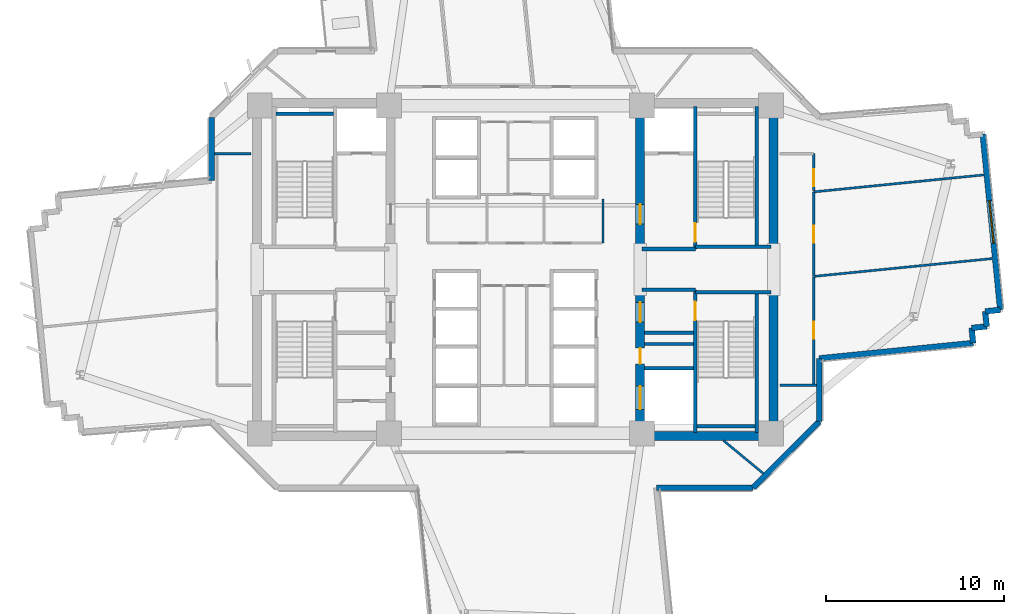
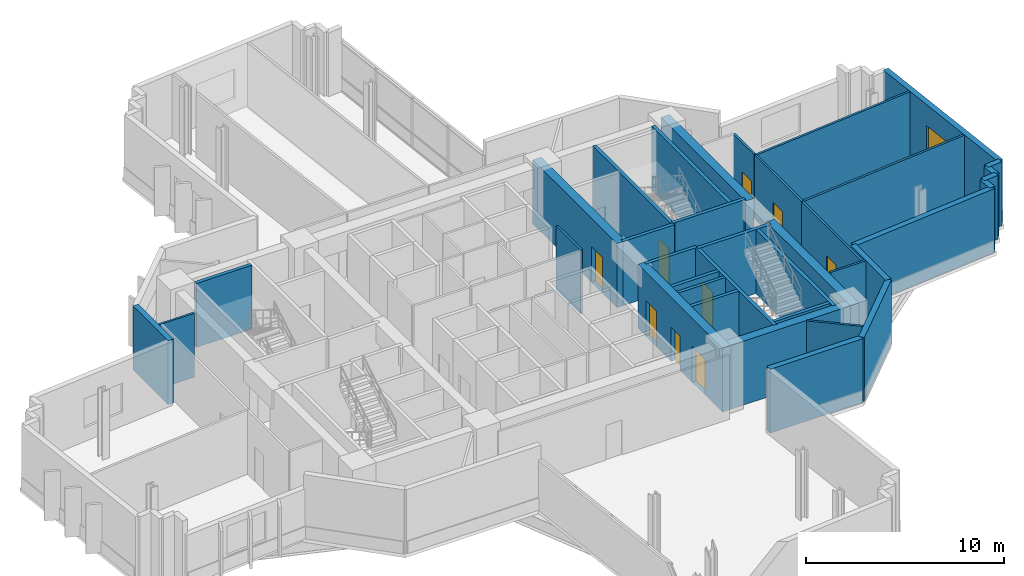
# One storey, part 8 of 14: 37 walls, 9 doors, 1 window, 10 openings.
"""IFC4 building model written with IfcOpenShell, lengths in metres."""

from ifc_helpers import new_model, si_unit, direction, frame, frame_2d, origin, place, context, subcontext, project, spatial, rectangle, extrude, source, transform, mapped, material, layer, layer_set, type_object, element, fill, save


model = new_model("IFC4")

# Units and contexts
model_context = context("Model", 3, precision=1e-05, world=origin(), true_north=direction((0.0, 1.0)))
body_context = subcontext(model_context, "Body", "Model", "MODEL_VIEW")
ifc_project = project(units=[si_unit("LENGTHUNIT", "METRE"), si_unit("AREAUNIT", "SQUARE_METRE"), si_unit("VOLUMEUNIT", "CUBIC_METRE"), si_unit("PLANEANGLEUNIT", "RADIAN"), si_unit("MASSUNIT", "GRAM", prefix="KILO")], contexts=[model_context])

# Site, building, storey
site_placement = place(None, origin())
site = spatial("IfcSite", under=ifc_project, at=site_placement, CompositionType="ELEMENT")
building_placement = place(site_placement, origin())
building = spatial("IfcBuilding", under=site, at=building_placement, Name="Zahravan Cultural Tower", CompositionType="ELEMENT")
storey_placement = place(building_placement, frame((0.0, 0.0, 92.10009765625)))
storey = spatial("IfcBuildingStorey", under=building, at=storey_placement, Name="L20", CompositionType="ELEMENT", Elevation=92.10009765625)

# Wall, openings, doors
ifc_material_1 = material(Name="Concrete C60/75", Category="concrete")
ifc_layer_1 = layer(ifc_material_1, 0.5)
ifc_layer_set_1 = layer_set([ifc_layer_1], Name="Concrete C60/75")
wall_type_1 = type_object("IfcWallType", Name="CW-SHEAR-500-C60", PredefinedType="SHEAR", material=ifc_layer_set_1)
wall_1_placement = place(storey_placement, frame((43.0, 17.39990234375, 0.0), z_axis=(0.0, 0.0, 1.0), x_axis=(0.0, 1.0, 0.0)))
wall_1 = element("IfcWall", 1, at=wall_1_placement, inside=storey, type_object=wall_type_1, Name="L20 Core Shear Wall CW-E-WS-L20", PredefinedType="SHEAR", context=body_context, shape_type="SweptSolid", body=[
    extrude(rectangle(XDim=8.550048828125, YDim=0.5, at=frame_2d((4.27490234375, 0.0))), origin(), (0.0, 0.0, 1.0), 3.949951171875),
])
opening_1_placement = place(wall_1_placement, frame((6.64990234375, 0.0, 0.0)))
opening_1 = element("IfcOpeningElement", 2, at=opening_1_placement, cuts=wall_1, Name="Opening D-L20-08", PredefinedType="OPENING", context=body_context, shape_type="SweptSolid", body=[
    extrude(rectangle(XDim=1.10009765625, YDim=2.199951171875, at=frame_2d((0.550048828125, 1.10009765625))), frame((0.0, 0.260009765625, 0.0), z_axis=(0.0, -1.0, 0.0), x_axis=(1.0, 0.0, 0.0)), (0.0, 0.0, 1.0), 0.52001953125),
])
opening_2_placement = place(wall_1_placement, frame((1.75, 0.0, 0.0)))
opening_2 = element("IfcOpeningElement", 3, at=opening_2_placement, cuts=wall_1, Name="Opening LD-L20-03", PredefinedType="OPENING", context=body_context, shape_type="SweptSolid", body=[
    extrude(rectangle(XDim=1.300048828125, YDim=2.199951171875, at=frame_2d((0.64990234375, 1.10009765625))), frame((0.0, 0.260009765625, 0.0), z_axis=(0.0, -1.0, 0.0), x_axis=(1.0, 0.0, 0.0)), (0.0, 0.0, 1.0), 0.52001953125),
])
opening_3_placement = place(wall_1_placement, frame((4.300048828125, 0.0, 0.0)))
opening_3 = element("IfcOpeningElement", 4, at=opening_3_placement, cuts=wall_1, Name="Opening D-L20-12", PredefinedType="OPENING", context=body_context, shape_type="SweptSolid", body=[
    extrude(rectangle(XDim=0.8798828125, YDim=2.10009765625, at=frame_2d((0.43994140625, 1.050048828125))), frame((0.0, 0.260009765625, 0.0), z_axis=(0.0, -1.0, 0.0), x_axis=(1.0, 0.0, 0.0)), (0.0, 0.0, 1.0), 0.52001953125),
])
ifc_material_2 = material(Name="Steel ASTM A572 Grade 50", Category="steel")
door_type_1 = type_object("IfcDoorType", Name="DR-LOBBY-1100", OperationType="NOTDEFINED", PredefinedType="DOOR", material=ifc_material_2)
shared_shape_1 = source(origin(), body_context, "Body", "SweptSolid", [
    extrude(rectangle(XDim=1.10009765625, YDim=2.199951171875, at=frame_2d((0.550048828125, 1.10009765625))), frame((0.0, 0.02490234375, 0.0), z_axis=(0.0, -1.0, 0.0), x_axis=(1.0, 0.0, 0.0)), (0.0, 0.0, 1.0), 0.050048828125),
])
door_1_placement = place(opening_1_placement, origin())
door_1 = element("IfcDoor", 5, at=door_1_placement, inside=storey, type_object=door_type_1, Name="L20 Door D-L20-08", OperationType="SINGLE_SWING_LEFT", OverallHeight=2.199951171875, OverallWidth=1.10009765625, PredefinedType="DOOR", context=body_context, shape_type="MappedRepresentation", body=[
    mapped(shared_shape_1, transform((0.0, 0.0, 0.0), x_axis=(1.0, 0.0, 0.0), y_axis=(0.0, 1.0, 0.0), z_axis=(0.0, 0.0, 1.0), scale=1.0)),
])
fill(opening_1, door_1)
door_type_2 = type_object("IfcDoorType", Name="DR-LIFT-1300", OperationType="DOUBLE_DOOR_SLIDING", PredefinedType="DOOR", material=ifc_material_2)
shared_shape_2 = source(origin(), body_context, "Body", "SweptSolid", [
    extrude(rectangle(XDim=1.300048828125, YDim=2.199951171875, at=frame_2d((0.64990234375, 1.10009765625))), frame((0.0, 0.02490234375, 0.0), z_axis=(0.0, -1.0, 0.0), x_axis=(1.0, 0.0, 0.0)), (0.0, 0.0, 1.0), 0.050048828125),
])
door_2_placement = place(opening_2_placement, origin())
door_2 = element("IfcDoor", 6, at=door_2_placement, inside=storey, type_object=door_type_2, Name="L20 Door LD-L20-03", OperationType="DOUBLE_DOOR_SLIDING", OverallHeight=2.199951171875, OverallWidth=1.300048828125, PredefinedType="DOOR", context=body_context, shape_type="MappedRepresentation", body=[
    mapped(shared_shape_2, transform((0.0, 0.0, 0.0), x_axis=(1.0, 0.0, 0.0), y_axis=(0.0, 1.0, 0.0), z_axis=(0.0, 0.0, 1.0), scale=1.0)),
])
fill(opening_2, door_2)
door_type_3 = type_object("IfcDoorType", Name="DR-SVC-880", OperationType="NOTDEFINED", PredefinedType="DOOR", material=ifc_material_2)
shared_shape_3 = source(origin(), body_context, "Body", "SweptSolid", [
    extrude(rectangle(XDim=0.8798828125, YDim=2.10009765625, at=frame_2d((0.43994140625, 1.050048828125))), frame((0.0, 0.02490234375, 0.0), z_axis=(0.0, -1.0, 0.0), x_axis=(1.0, 0.0, 0.0)), (0.0, 0.0, 1.0), 0.050048828125),
])
door_3_placement = place(opening_3_placement, origin())
door_3 = element("IfcDoor", 7, at=door_3_placement, inside=storey, type_object=door_type_3, Name="L20 Door D-L20-12", OperationType="SINGLE_SWING_LEFT", OverallHeight=2.10009765625, OverallWidth=0.8798828125, PredefinedType="DOOR", context=body_context, shape_type="MappedRepresentation", body=[
    mapped(shared_shape_3, transform((0.0, 0.0, 0.0), x_axis=(1.0, 0.0, 0.0), y_axis=(0.0, 1.0, 0.0), z_axis=(0.0, 0.0, 1.0), scale=1.0)),
])
fill(opening_3, door_3)

# Wall, opening, door
wall_2_placement = place(storey_placement, frame((43.0, 28.050048828125, 0.0), z_axis=(0.0, 0.0, 1.0), x_axis=(0.0, 1.0, 0.0)))
wall_2 = element("IfcWall", 8, at=wall_2_placement, inside=storey, type_object=wall_type_1, Name="L20 Core Shear Wall CW-E-WN-L20", PredefinedType="SHEAR", context=body_context, shape_type="SweptSolid", body=[
    extrude(rectangle(XDim=8.550048828125, YDim=0.5, at=frame_2d((4.27490234375, 0.0))), origin(), (0.0, 0.0, 1.0), 3.949951171875),
])
opening_4_placement = place(wall_2_placement, frame((1.5, 0.0, 0.0)))
opening_4 = element("IfcOpeningElement", 9, at=opening_4_placement, cuts=wall_2, Name="Opening D-L20-06", PredefinedType="OPENING", context=body_context, shape_type="SweptSolid", body=[
    extrude(rectangle(XDim=1.10009765625, YDim=2.199951171875, at=frame_2d((0.550048828125, 1.10009765625))), frame((0.0, 0.260009765625, 0.0), z_axis=(0.0, -1.0, 0.0), x_axis=(1.0, 0.0, 0.0)), (0.0, 0.0, 1.0), 0.52001953125),
])
door_4_placement = place(opening_4_placement, origin())
door_4 = element("IfcDoor", 10, at=door_4_placement, inside=storey, type_object=door_type_1, Name="L20 Door D-L20-06", OperationType="SINGLE_SWING_LEFT", OverallHeight=2.199951171875, OverallWidth=1.10009765625, PredefinedType="DOOR", context=body_context, shape_type="MappedRepresentation", body=[
    mapped(shared_shape_1, transform((0.0, 0.0, 0.0), x_axis=(1.0, 0.0, 0.0), y_axis=(0.0, 1.0, 0.0), z_axis=(0.0, 0.0, 1.0), scale=1.0)),
])
fill(opening_4, door_4)

# Wall, opening, window
ifc_material_3 = material(Name="Precast concrete C40/50", Category="concrete")
ifc_layer_2 = layer(ifc_material_3, 0.320068359375)
ifc_layer_set_2 = layer_set([ifc_layer_2], Name="Precast concrete C40/50")
wall_type_2 = type_object("IfcWallType", Name="EW-TC-320", PredefinedType="SOLIDWALL", material=ifc_layer_set_2)
wall_3_placement = place(storey_placement, frame((62.234619140625, 34.603271484375, 0.0), z_axis=(0.0, 0.0, 1.0), x_axis=(0.099303907908, -0.995057151059, 0.0)))
wall_3 = element("IfcWall", 11, at=wall_3_placement, inside=storey, type_object=wall_type_2, Name="L20 Exterior Masonry Frame Wall 32", PredefinedType="SOLIDWALL", context=body_context, shape_type="SweptSolid", body=[
    extrude(rectangle(XDim=9.920166015625, YDim=0.320068359375, at=frame_2d((4.9599609375, 0.0))), origin(), (0.0, 0.0, 1.0), 3.949951171875),
])
opening_5_placement = place(wall_3_placement, frame((3.760009765625, 0.0, 0.85009765625)))
opening_5 = element("IfcOpeningElement", 12, at=opening_5_placement, cuts=wall_3, Name="Opening WN-01", PredefinedType="OPENING", context=body_context, shape_type="SweptSolid", body=[
    extrude(rectangle(XDim=2.39990234375, YDim=1.800048828125, at=frame_2d((1.199951171875, 0.89990234375))), frame((0.0, 0.169921875, 0.0), z_axis=(0.0, -1.0, 0.0), x_axis=(1.0, 0.0, 0.0)), (0.0, 0.0, 1.0), 0.340087890625),
])
ifc_material_4 = material(Name="Low-E solar-control double glazing", Category="glass")
window_type = type_object("IfcWindowType", Name="WN-REC-2400X1800", PartitioningType="DOUBLE_PANEL_VERTICAL", PredefinedType="WINDOW", material=ifc_material_4)
shared_shape_4 = source(origin(), body_context, "Body", "SweptSolid", [
    extrude(rectangle(XDim=2.39990234375, YDim=1.800048828125, at=frame_2d((1.199951171875, 0.89990234375))), frame((0.0, 0.030029296875, 0.0), z_axis=(0.0, -1.0, 0.0), x_axis=(1.0, 0.0, 0.0)), (0.0, 0.0, 1.0), 0.06005859375),
])
window_placement = place(opening_5_placement, origin())
window = element("IfcWindow", 13, at=window_placement, inside=storey, type_object=window_type, Name="L20 Recessed Solar Window 08", OverallHeight=1.800048828125, OverallWidth=2.39990234375, PartitioningType="DOUBLE_PANEL_VERTICAL", PredefinedType="WINDOW", context=body_context, shape_type="MappedRepresentation", body=[
    mapped(shared_shape_4, transform((0.0, 0.0, 0.0), x_axis=(1.0, 0.0, 0.0), y_axis=(0.0, 1.0, 0.0), z_axis=(0.0, 0.0, 1.0), scale=1.0)),
])
fill(opening_5, window)

# Wall, opening, door
ifc_material_5 = material(Name="Gypsum plasterboard partition")
ifc_layer_3 = layer(ifc_material_5, 0.125)
ifc_layer_set_3 = layer_set([ifc_layer_3], Name="Gypsum plasterboard partition")
wall_type_3 = type_object("IfcWallType", Name="W-PART-125", PredefinedType="PARTITIONING", material=ifc_layer_set_3)
wall_4_placement = place(storey_placement, frame((52.75, 26.61181640625, 0.0), z_axis=(0.0, 0.0, 1.0), x_axis=(0.0, 1.0, 0.0)))
wall_4 = element("IfcWall", 14, at=wall_4_placement, inside=storey, type_object=wall_type_3, Name="L20 Interior Wall 091", PredefinedType="PARTITIONING", context=body_context, shape_type="SweptSolid", body=[
    extrude(rectangle(XDim=4.7431640625, YDim=0.125, at=frame_2d((2.37158203125, 0.0))), origin(), (0.0, 0.0, 1.0), 3.949951171875),
])
opening_6_placement = place(wall_4_placement, frame((1.896728515625, 0.0, 0.0)))
opening_6 = element("IfcOpeningElement", 15, at=opening_6_placement, cuts=wall_4, Name="Opening D-L20-22", PredefinedType="OPENING", context=body_context, shape_type="SweptSolid", body=[
    extrude(rectangle(XDim=0.949951171875, YDim=2.14990234375, at=frame_2d((0.47509765625, 1.074951171875))), frame((0.0, 0.072509765625, 0.0), z_axis=(0.0, -1.0, 0.0), x_axis=(1.0, 0.0, 0.0)), (0.0, 0.0, 1.0), 0.14501953125),
])
ifc_material_6 = material(Name="Anodised bronze-aluminium mullion", Category="aluminium")
door_type_4 = type_object("IfcDoorType", Name="DR-ROOM-950", OperationType="NOTDEFINED", PredefinedType="DOOR", material=ifc_material_6)
shared_shape_5 = source(origin(), body_context, "Body", "SweptSolid", [
    extrude(rectangle(XDim=0.949951171875, YDim=2.14990234375, at=frame_2d((0.47509765625, 1.074951171875))), frame((0.0, 0.02490234375, 0.0), z_axis=(0.0, -1.0, 0.0), x_axis=(1.0, 0.0, 0.0)), (0.0, 0.0, 1.0), 0.050048828125),
])
door_5_placement = place(opening_6_placement, origin())
door_5 = element("IfcDoor", 16, at=door_5_placement, inside=storey, type_object=door_type_4, Name="L20 Door D-L20-22", OperationType="SINGLE_SWING_LEFT", OverallHeight=2.14990234375, OverallWidth=0.949951171875, PredefinedType="DOOR", context=body_context, shape_type="MappedRepresentation", body=[
    mapped(shared_shape_5, transform((0.0, 0.0, 0.0), x_axis=(1.0, 0.0, 0.0), y_axis=(0.0, 1.0, 0.0), z_axis=(0.0, 0.0, 1.0), scale=1.0)),
])
fill(opening_6, door_5)

wall_5_placement = place(storey_placement, frame((52.75, 31.4228515625, 0.0), z_axis=(0.0, 0.0, 1.0), x_axis=(-0.000470366834, 0.999999889378, 0.0)))
wall_5 = element("IfcWall", 17, at=wall_5_placement, inside=storey, type_object=wall_type_3, Name="L20 Interior Wall 095", PredefinedType="PARTITIONING", context=body_context, shape_type="SweptSolid", body=[
    extrude(rectangle(XDim=2.076171875, YDim=0.125, at=frame_2d((1.0380859375, 0.0))), origin(), (0.0, 0.0, 1.0), 3.949951171875),
])
opening_7_placement = place(wall_5_placement, frame((0.247802734375, 0.0, 0.0)))
opening_7 = element("IfcOpeningElement", 18, at=opening_7_placement, cuts=wall_5, Name="Opening D-L20-23", PredefinedType="OPENING", context=body_context, shape_type="SweptSolid", body=[
    extrude(rectangle(XDim=0.949951171875, YDim=2.14990234375, at=frame_2d((0.47509765625, 1.074951171875))), frame((0.0, 0.072509765625, 0.0), z_axis=(0.0, -1.0, 0.0), x_axis=(1.0, 0.0, 0.0)), (0.0, 0.0, 1.0), 0.14501953125),
])
door_6_placement = place(opening_7_placement, origin())
door_6 = element("IfcDoor", 19, at=door_6_placement, inside=storey, type_object=door_type_4, Name="L20 Door D-L20-23", OperationType="SINGLE_SWING_RIGHT", OverallHeight=2.14990234375, OverallWidth=0.949951171875, PredefinedType="DOOR", context=body_context, shape_type="MappedRepresentation", body=[
    mapped(shared_shape_5, transform((0.0, 0.0, 0.0), x_axis=(1.0, 0.0, 0.0), y_axis=(0.0, 1.0, 0.0), z_axis=(0.0, 0.0, 1.0), scale=1.0)),
])
fill(opening_7, door_6)

wall_6_placement = place(storey_placement, frame((52.75, 20.56787109375, 0.0), z_axis=(0.0, 0.0, 1.0), x_axis=(0.0, 1.0, 0.0)))
wall_6 = element("IfcWall", 20, at=wall_6_placement, inside=storey, type_object=wall_type_3, Name="L20 Interior Wall 098", PredefinedType="PARTITIONING", context=body_context, shape_type="SweptSolid", body=[
    extrude(rectangle(XDim=6.023681640625, YDim=0.125, at=frame_2d((3.01171875, 0.0))), origin(), (0.0, 0.0, 1.0), 3.949951171875),
])
opening_8_placement = place(wall_6_placement, frame((2.536865234375, 0.0, 0.0)))
opening_8 = element("IfcOpeningElement", 21, at=opening_8_placement, cuts=wall_6, Name="Opening D-L20-21", PredefinedType="OPENING", context=body_context, shape_type="SweptSolid", body=[
    extrude(rectangle(XDim=0.949951171875, YDim=2.14990234375, at=frame_2d((0.47509765625, 1.074951171875))), frame((0.0, 0.072509765625, 0.0), z_axis=(0.0, -1.0, 0.0), x_axis=(1.0, 0.0, 0.0)), (0.0, 0.0, 1.0), 0.14501953125),
])
door_7_placement = place(opening_8_placement, origin())
door_7 = element("IfcDoor", 22, at=door_7_placement, inside=storey, type_object=door_type_4, Name="L20 Door D-L20-21", OperationType="SINGLE_SWING_RIGHT", OverallHeight=2.14990234375, OverallWidth=0.949951171875, PredefinedType="DOOR", context=body_context, shape_type="MappedRepresentation", body=[
    mapped(shared_shape_5, transform((0.0, 0.0, 0.0), x_axis=(1.0, 0.0, 0.0), y_axis=(0.0, 1.0, 0.0), z_axis=(0.0, 0.0, 1.0), scale=1.0)),
])
fill(opening_8, door_7)

ifc_material_7 = material(Name="Concrete C45/55", Category="concrete")
ifc_layer_4 = layer(ifc_material_7, 0.199951171875)
ifc_layer_set_4 = layer_set([ifc_layer_4], Name="Concrete C45/55")
wall_type_4 = type_object("IfcWallType", Name="W-SHAFT-200", PredefinedType="SOLIDWALL", material=ifc_layer_set_4)
wall_7_placement = place(storey_placement, frame((46.10009765625, 17.85009765625, 0.0), z_axis=(0.0, 0.0, 1.0), x_axis=(0.0, 1.0, 0.0)))
wall_7 = element("IfcWall", 23, at=wall_7_placement, inside=storey, type_object=wall_type_4, Name="L20 Interior Wall 007", PredefinedType="SOLIDWALL", context=body_context, shape_type="SweptSolid", body=[
    extrude(rectangle(XDim=8.0, YDim=0.199951171875, at=frame_2d((4.0, 0.0))), origin(), (0.0, 0.0, 1.0), 3.949951171875),
])
opening_9_placement = place(wall_7_placement, frame((6.300048828125, 0.0, 0.0)))
opening_9 = element("IfcOpeningElement", 24, at=opening_9_placement, cuts=wall_7, Name="Opening D-L20-03", PredefinedType="OPENING", context=body_context, shape_type="SweptSolid", body=[
    extrude(rectangle(XDim=1.050048828125, YDim=2.14990234375, at=frame_2d((0.52490234375, 1.074951171875))), frame((0.0, 0.10986328125, 0.0), z_axis=(0.0, -1.0, 0.0), x_axis=(1.0, 0.0, 0.0)), (0.0, 0.0, 1.0), 0.219970703125),
])
door_type_5 = type_object("IfcDoorType", Name="DR-STAIR-1050", OperationType="NOTDEFINED", PredefinedType="DOOR", material=ifc_material_2)
shared_shape_6 = source(origin(), body_context, "Body", "SweptSolid", [
    extrude(rectangle(XDim=1.050048828125, YDim=2.14990234375, at=frame_2d((0.52490234375, 1.074951171875))), frame((0.0, 0.02490234375, 0.0), z_axis=(0.0, -1.0, 0.0), x_axis=(1.0, 0.0, 0.0)), (0.0, 0.0, 1.0), 0.050048828125),
])
door_8_placement = place(opening_9_placement, origin())
door_8 = element("IfcDoor", 25, at=door_8_placement, inside=storey, type_object=door_type_5, Name="L20 Door D-L20-03", OperationType="SINGLE_SWING_RIGHT", OverallHeight=2.14990234375, OverallWidth=1.050048828125, PredefinedType="DOOR", context=body_context, shape_type="MappedRepresentation", body=[
    mapped(shared_shape_6, transform((0.0, 0.0, 0.0), x_axis=(1.0, 0.0, 0.0), y_axis=(0.0, 1.0, 0.0), z_axis=(0.0, 0.0, 1.0), scale=1.0)),
])
fill(opening_9, door_8)

wall_8_placement = place(storey_placement, frame((46.10009765625, 28.14990234375, 0.0), z_axis=(0.0, 0.0, 1.0), x_axis=(0.0, 1.0, 0.0)))
wall_8 = element("IfcWall", 26, at=wall_8_placement, inside=storey, type_object=wall_type_4, Name="L20 Interior Wall 008", PredefinedType="SOLIDWALL", context=body_context, shape_type="SweptSolid", body=[
    extrude(rectangle(XDim=8.0, YDim=0.199951171875, at=frame_2d((4.0, 0.0))), origin(), (0.0, 0.0, 1.0), 3.949951171875),
])
opening_10_placement = place(wall_8_placement, frame((0.39990234375, 0.0, 0.0)))
opening_10 = element("IfcOpeningElement", 27, at=opening_10_placement, cuts=wall_8, Name="Opening D-L20-02", PredefinedType="OPENING", context=body_context, shape_type="SweptSolid", body=[
    extrude(rectangle(XDim=1.050048828125, YDim=2.14990234375, at=frame_2d((0.52490234375, 1.074951171875))), frame((0.0, 0.10986328125, 0.0), z_axis=(0.0, -1.0, 0.0), x_axis=(1.0, 0.0, 0.0)), (0.0, 0.0, 1.0), 0.219970703125),
])
door_9_placement = place(opening_10_placement, origin())
door_9 = element("IfcDoor", 28, at=door_9_placement, inside=storey, type_object=door_type_5, Name="L20 Door D-L20-02", OperationType="SINGLE_SWING_LEFT", OverallHeight=2.14990234375, OverallWidth=1.050048828125, PredefinedType="DOOR", context=body_context, shape_type="MappedRepresentation", body=[
    mapped(shared_shape_6, transform((0.0, 0.0, 0.0), x_axis=(1.0, 0.0, 0.0), y_axis=(0.0, 1.0, 0.0), z_axis=(0.0, 0.0, 1.0), scale=1.0)),
])
fill(opening_10, door_9)

# Walls
shared_shape_7 = source(origin(), body_context, "Body", "SweptSolid", [
    extrude(rectangle(XDim=8.550048828125, YDim=0.5, at=frame_2d((4.27490234375, 0.0))), origin(), (0.0, 0.0, 1.0), 3.949951171875),
])
for number, where, z_axis, x_axis, name in (
    (29, (50.5, 17.39990234375, 0.0), (0.0, 0.0, 1.0), (0.0, 1.0, 0.0), "L20 Core Shear Wall CW-E-ES-L20"),
    (30, (50.5, 28.050048828125, 0.0), (0.0, 0.0, 1.0), (0.0, 1.0, 0.0), "L20 Core Shear Wall CW-E-EN-L20"),
):
    element("IfcWall", number, at=place(storey_placement, frame(where, z_axis=z_axis, x_axis=x_axis)), inside=storey, type_object=wall_type_1, Name=name, PredefinedType="SHEAR", context=body_context, shape_type="MappedRepresentation", body=[
        mapped(shared_shape_7, transform((0.0, 0.0, 0.0), x_axis=(1.0, 0.0, 0.0), y_axis=(0.0, 1.0, 0.0), z_axis=(0.0, 0.0, 1.0), scale=1.0)),
    ])
shared_shape_8 = source(origin(), body_context, "Body", "SweptSolid", [
    extrude(rectangle(XDim=7.0, YDim=0.5, at=frame_2d((3.5, 0.0))), origin(), (0.0, 0.0, 1.0), 3.949951171875),
])
wall_9_placement = place(storey_placement, frame((43.25, 17.64990234375, 0.0), z_axis=(0.0, 0.0, 1.0), x_axis=(1.0, 0.0, 0.0)))
element("IfcWall", 31, at=wall_9_placement, inside=storey, type_object=wall_type_1, Name="L20 Core Shear Wall CW-E-S-L20", PredefinedType="SHEAR", context=body_context, shape_type="MappedRepresentation", body=[
    mapped(shared_shape_8, transform((0.0, 0.0, 0.0), x_axis=(1.0, 0.0, 0.0), y_axis=(0.0, 1.0, 0.0), z_axis=(0.0, 0.0, 1.0), scale=1.0)),
])
shared_shape_9 = source(origin(), body_context, "Body", "SweptSolid", [
    extrude(rectangle(XDim=0.849853515625, YDim=0.320068359375, at=frame_2d((0.4248046875, 0.0))), origin(), (0.0, 0.0, 1.0), 3.949951171875),
])
for number, where, z_axis, x_axis, name in (
    (32, (63.2197265625, 24.732177734375, 0.0), (0.0, 0.0, 1.0), (-0.995048560111, -0.09938995433, 0.0), "L20 Exterior Masonry Frame Wall 33"),
    (33, (62.3740234375, 24.647705078125, 0.0), (0.0, 0.0, 1.0), (0.09938995433, -0.995048560111, 0.0), "L20 Exterior Masonry Frame Wall 34"),
    (34, (62.45849609375, 23.802001953125, 0.0), (0.0, 0.0, 1.0), (-0.995048560111, -0.09938995433, 0.0), "L20 Exterior Masonry Frame Wall 35"),
    (35, (61.61279296875, 23.717529296875, 0.0), (0.0, 0.0, 1.0), (0.099105525559, -0.995076929088, 0.0), "L20 Exterior Masonry Frame Wall 36"),
):
    element("IfcWall", number, at=place(storey_placement, frame(where, z_axis=z_axis, x_axis=x_axis)), inside=storey, type_object=wall_type_2, Name=name, PredefinedType="SOLIDWALL", context=body_context, shape_type="MappedRepresentation", body=[
        mapped(shared_shape_9, transform((0.0, 0.0, 0.0), x_axis=(1.0, 0.0, 0.0), y_axis=(0.0, 1.0, 0.0), z_axis=(0.0, 0.0, 1.0), scale=1.0)),
    ])
shared_shape_10 = source(origin(), body_context, "Body", "SweptSolid", [
    extrude(rectangle(XDim=5.258056640625, YDim=0.320068359375, at=frame_2d((2.62890625, 0.0))), origin(), (0.0, 0.0, 1.0), 3.949951171875),
])
wall_10_placement = place(storey_placement, frame((53.06005859375, 18.4580078125, 0.0), z_axis=(0.0, 0.0, 1.0), x_axis=(-0.707106781187, -0.707106781187, 0.0)))
element("IfcWall", 36, at=wall_10_placement, inside=storey, type_object=wall_type_2, Name="L20 Exterior Masonry Frame Wall 39", PredefinedType="SOLIDWALL", context=body_context, shape_type="MappedRepresentation", body=[
    mapped(shared_shape_10, transform((0.0, 0.0, 0.0), x_axis=(1.0, 0.0, 0.0), y_axis=(0.0, 1.0, 0.0), z_axis=(0.0, 0.0, 1.0), scale=1.0)),
])
shared_shape_11 = source(origin(), body_context, "Body", "SweptSolid", [
    extrude(rectangle(XDim=3.5517578125, YDim=0.320068359375, at=frame_2d((1.77587890625, 0.0))), origin(), (0.0, 0.0, 1.0), 3.949951171875),
])
for number, where, z_axis, x_axis, name in (
    (37, (18.93994140625, 31.990234375, 0.0), (0.0, 0.0, 1.0), (0.0, 1.0, 0.0), "L20 Exterior Masonry Frame Wall 12"),
    (38, (53.06005859375, 22.009765625, 0.0), (0.0, 0.0, 1.0), (0.0, -1.0, 0.0), "L20 Exterior Masonry Frame Wall 38"),
):
    element("IfcWall", number, at=place(storey_placement, frame(where, z_axis=z_axis, x_axis=x_axis)), inside=storey, type_object=wall_type_2, Name=name, PredefinedType="SOLIDWALL", context=body_context, shape_type="MappedRepresentation", body=[
        mapped(shared_shape_11, transform((0.0, 0.0, 0.0), x_axis=(1.0, 0.0, 0.0), y_axis=(0.0, 1.0, 0.0), z_axis=(0.0, 0.0, 1.0), scale=1.0)),
    ])
shared_shape_12 = source(origin(), body_context, "Body", "SweptSolid", [
    extrude(rectangle(XDim=8.679931640625, YDim=0.320068359375, at=frame_2d((4.33984375, 0.0))), origin(), (0.0, 0.0, 1.0), 3.949951171875),
])
wall_11_placement = place(storey_placement, frame((61.697021484375, 22.871826171875, 0.0), z_axis=(0.0, 0.0, 1.0), x_axis=(-0.995055831351, -0.099317130918, 0.0)))
element("IfcWall", 39, at=wall_11_placement, inside=storey, type_object=wall_type_2, Name="L20 Exterior Masonry Frame Wall 37", PredefinedType="SOLIDWALL", context=body_context, shape_type="MappedRepresentation", body=[
    mapped(shared_shape_12, transform((0.0, 0.0, 0.0), x_axis=(1.0, 0.0, 0.0), y_axis=(0.0, 1.0, 0.0), z_axis=(0.0, 0.0, 1.0), scale=1.0)),
])
shared_shape_13 = source(origin(), body_context, "Body", "SweptSolid", [
    extrude(rectangle(XDim=5.42529296875, YDim=0.320068359375, at=frame_2d((2.712646484375, 0.0))), origin(), (0.0, 0.0, 1.0), 3.949951171875),
])
wall_12_placement = place(storey_placement, frame((49.342041015625, 14.739990234375, 0.0), z_axis=(0.0, 0.0, 1.0), x_axis=(-1.0, 0.0, 0.0)))
element("IfcWall", 40, at=wall_12_placement, inside=storey, type_object=wall_type_2, Name="L20 Exterior Masonry Frame Wall 40", PredefinedType="SOLIDWALL", context=body_context, shape_type="MappedRepresentation", body=[
    mapped(shared_shape_13, transform((0.0, 0.0, 0.0), x_axis=(1.0, 0.0, 0.0), y_axis=(0.0, 1.0, 0.0), z_axis=(0.0, 0.0, 1.0), scale=1.0)),
])
shared_shape_14 = source(origin(), body_context, "Body", "SweptSolid", [
    extrude(rectangle(XDim=7.869873046875, YDim=0.199951171875, at=frame_2d((3.93505859375, 0.0))), origin(), (0.0, 0.0, 1.0), 3.949951171875),
])
for number, where, z_axis, x_axis, name in (
    (41, (49.550048828125, 17.85009765625, 0.0), (0.0, 0.0, 1.0), (0.0, 1.0, 0.0), "L20 Interior Wall 003"),
    (42, (49.550048828125, 28.280029296875, 0.0), (0.0, 0.0, 1.0), (0.0, 1.0, 0.0), "L20 Interior Wall 004"),
):
    element("IfcWall", number, at=place(storey_placement, frame(where, z_axis=z_axis, x_axis=x_axis)), inside=storey, type_object=wall_type_4, Name=name, PredefinedType="SOLIDWALL", context=body_context, shape_type="MappedRepresentation", body=[
        mapped(shared_shape_14, transform((0.0, 0.0, 0.0), x_axis=(1.0, 0.0, 0.0), y_axis=(0.0, 1.0, 0.0), z_axis=(0.0, 0.0, 1.0), scale=1.0)),
    ])
shared_shape_15 = source(origin(), body_context, "Body", "SweptSolid", [
    extrude(rectangle(XDim=4.25, YDim=0.199951171875, at=frame_2d((2.125, 0.0))), origin(), (0.0, 0.0, 1.0), 3.949951171875),
])
for number, where, z_axis, x_axis, name in (
    (43, (46.10009765625, 25.715087890625, 0.0), (0.0, 0.0, 1.0), (1.0, 0.0, 0.0), "L20 Interior Wall 014"),
    (44, (46.10009765625, 28.284912109375, 0.0), (0.0, 0.0, 1.0), (1.0, 0.0, 0.0), "L20 Interior Wall 016"),
):
    element("IfcWall", number, at=place(storey_placement, frame(where, z_axis=z_axis, x_axis=x_axis)), inside=storey, type_object=wall_type_4, Name=name, PredefinedType="SOLIDWALL", context=body_context, shape_type="MappedRepresentation", body=[
        mapped(shared_shape_15, transform((0.0, 0.0, 0.0), x_axis=(1.0, 0.0, 0.0), y_axis=(0.0, 1.0, 0.0), z_axis=(0.0, 0.0, 1.0), scale=1.0)),
    ])
shared_shape_16 = source(origin(), body_context, "Body", "SweptSolid", [
    extrude(rectangle(XDim=3.0, YDim=0.199951171875, at=frame_2d((1.5, 0.0))), origin(), (0.0, 0.0, 1.0), 3.949951171875),
])
for number, where, z_axis, x_axis, name in (
    (45, (43.10009765625, 25.85009765625, 0.0), (0.0, 0.0, 1.0), (1.0, 0.0, 0.0), "L20 Interior Wall 013"),
    (46, (43.10009765625, 28.14990234375, 0.0), (0.0, 0.0, 1.0), (1.0, 0.0, 0.0), "L20 Interior Wall 015"),
):
    element("IfcWall", number, at=place(storey_placement, frame(where, z_axis=z_axis, x_axis=x_axis)), inside=storey, type_object=wall_type_4, Name=name, PredefinedType="SOLIDWALL", context=body_context, shape_type="MappedRepresentation", body=[
        mapped(shared_shape_16, transform((0.0, 0.0, 0.0), x_axis=(1.0, 0.0, 0.0), y_axis=(0.0, 1.0, 0.0), z_axis=(0.0, 0.0, 1.0), scale=1.0)),
    ])
shared_shape_17 = source(origin(), body_context, "Body", "SweptSolid", [
    extrude(rectangle(XDim=3.25, YDim=0.199951171875, at=frame_2d((1.625, 0.0))), origin(), (0.0, 0.0, 1.0), 3.949951171875),
])
for number, where, z_axis, x_axis, name in (
    (47, (22.550048828125, 35.75, 0.0), (0.0, 0.0, 1.0), (1.0, 0.0, 0.0), "L20 Interior Wall 017"),
    (48, (46.199951171875, 18.199951171875, 0.0), (0.0, 0.0, 1.0), (1.0, 0.0, 0.0), "L20 Interior Wall 020"),
):
    element("IfcWall", number, at=place(storey_placement, frame(where, z_axis=z_axis, x_axis=x_axis)), inside=storey, type_object=wall_type_4, Name=name, PredefinedType="SOLIDWALL", context=body_context, shape_type="MappedRepresentation", body=[
        mapped(shared_shape_17, transform((0.0, 0.0, 0.0), x_axis=(1.0, 0.0, 0.0), y_axis=(0.0, 1.0, 0.0), z_axis=(0.0, 0.0, 1.0), scale=1.0)),
    ])
shared_shape_18 = source(origin(), body_context, "Body", "SweptSolid", [
    extrude(rectangle(XDim=2.75, YDim=0.199951171875, at=frame_2d((1.375, 0.0))), origin(), (0.0, 0.0, 1.0), 3.949951171875),
])
for number, where, z_axis, x_axis, name in (
    (49, (43.25, 23.449951171875, 0.0), (0.0, 0.0, 1.0), (1.0, 0.0, 0.0), "L20 Interior Wall 024"),
    (50, (43.25, 21.449951171875, 0.0), (0.0, 0.0, 1.0), (1.0, 0.0, 0.0), "L20 Interior Wall 025"),
):
    element("IfcWall", number, at=place(storey_placement, frame(where, z_axis=z_axis, x_axis=x_axis)), inside=storey, type_object=wall_type_4, Name=name, PredefinedType="SOLIDWALL", context=body_context, shape_type="MappedRepresentation", body=[
        mapped(shared_shape_18, transform((0.0, 0.0, 0.0), x_axis=(1.0, 0.0, 0.0), y_axis=(0.0, 1.0, 0.0), z_axis=(0.0, 0.0, 1.0), scale=1.0)),
    ])
ifc_layer_5 = layer(ifc_material_5, 0.179931640625)
ifc_layer_set_5 = layer_set([ifc_layer_5], Name="Gypsum plasterboard partition")
wall_type_5 = type_object("IfcWallType", Name="W-COMP-180", PredefinedType="PARTITIONING", material=ifc_layer_set_5)
shared_shape_19 = source(origin(), body_context, "Body", "SweptSolid", [
    extrude(rectangle(XDim=2.75, YDim=0.179931640625, at=frame_2d((1.375, 0.0))), origin(), (0.0, 0.0, 1.0), 3.949951171875),
])
wall_13_placement = place(storey_placement, frame((43.25, 22.820068359375, 0.0), z_axis=(0.0, 0.0, 1.0), x_axis=(1.0, 0.0, 0.0)))
element("IfcWall", 51, at=wall_13_placement, inside=storey, type_object=wall_type_5, Name="L20 Interior Wall 028", PredefinedType="PARTITIONING", context=body_context, shape_type="MappedRepresentation", body=[
    mapped(shared_shape_19, transform((0.0, 0.0, 0.0), x_axis=(1.0, 0.0, 0.0), y_axis=(0.0, 1.0, 0.0), z_axis=(0.0, 0.0, 1.0), scale=1.0)),
])
shared_shape_20 = source(origin(), body_context, "Body", "SweptSolid", [
    extrude(rectangle(XDim=2.469970703125, YDim=0.125, at=frame_2d((1.23486328125, 0.0))), origin(), (0.0, 0.0, 1.0), 3.949951171875),
])
wall_14_placement = place(storey_placement, frame((40.919921875, 30.949951171875, 0.0), z_axis=(0.0, 0.0, 1.0), x_axis=(0.0, -1.0, 0.0)))
element("IfcWall", 52, at=wall_14_placement, inside=storey, type_object=wall_type_3, Name="L20 Interior Wall 089", PredefinedType="PARTITIONING", context=body_context, shape_type="MappedRepresentation", body=[
    mapped(shared_shape_20, transform((0.0, 0.0, 0.0), x_axis=(1.0, 0.0, 0.0), y_axis=(0.0, 1.0, 0.0), z_axis=(0.0, 0.0, 1.0), scale=1.0)),
])
shared_shape_21 = source(origin(), body_context, "Body", "SweptSolid", [
    extrude(rectangle(XDim=2.04931640625, YDim=0.125, at=frame_2d((1.024658203125, 0.0))), origin(), (0.0, 0.0, 1.0), 3.949951171875),
])
wall_15_placement = place(storey_placement, frame((21.1494140625, 33.49658203125, 0.0), z_axis=(0.0, 0.0, 1.0), x_axis=(-0.999999936133, 0.000357398119, 0.0)))
element("IfcWall", 53, at=wall_15_placement, inside=storey, type_object=wall_type_3, Name="L20 Interior Wall 113", PredefinedType="PARTITIONING", context=body_context, shape_type="MappedRepresentation", body=[
    mapped(shared_shape_21, transform((0.0, 0.0, 0.0), x_axis=(1.0, 0.0, 0.0), y_axis=(0.0, 1.0, 0.0), z_axis=(0.0, 0.0, 1.0), scale=1.0)),
])
shared_shape_22 = source(origin(), body_context, "Body", "SweptSolid", [
    extrude(rectangle(XDim=9.59521484375, YDim=0.125, at=frame_2d((4.797607421875, 0.0))), origin(), (0.0, 0.0, 1.0), 3.949951171875),
])
wall_16_placement = place(storey_placement, frame((52.75, 31.35498046875, 0.0), z_axis=(0.0, 0.0, 1.0), x_axis=(0.995054305912, 0.099332413068, 0.0)))
element("IfcWall", 54, at=wall_16_placement, inside=storey, type_object=wall_type_3, Name="L20 Interior Wall 092", PredefinedType="PARTITIONING", context=body_context, shape_type="MappedRepresentation", body=[
    mapped(shared_shape_22, transform((0.0, 0.0, 0.0), x_axis=(1.0, 0.0, 0.0), y_axis=(0.0, 1.0, 0.0), z_axis=(0.0, 0.0, 1.0), scale=1.0)),
])
shared_shape_23 = source(origin(), body_context, "Body", "SweptSolid", [
    extrude(rectangle(XDim=9.998779296875, YDim=0.125, at=frame_2d((4.99951171875, 0.0))), origin(), (0.0, 0.0, 1.0), 3.949951171875),
])
wall_17_placement = place(storey_placement, frame((62.7666015625, 27.611572265625, 0.0), z_axis=(0.0, 0.0, 1.0), x_axis=(-0.995054581391, -0.099329653443, 0.0)))
element("IfcWall", 55, at=wall_17_placement, inside=storey, type_object=wall_type_3, Name="L20 Interior Wall 093", PredefinedType="PARTITIONING", context=body_context, shape_type="MappedRepresentation", body=[
    mapped(shared_shape_23, transform((0.0, 0.0, 0.0), x_axis=(1.0, 0.0, 0.0), y_axis=(0.0, 1.0, 0.0), z_axis=(0.0, 0.0, 1.0), scale=1.0)),
])
shared_shape_24 = source(origin(), body_context, "Body", "SweptSolid", [
    extrude(rectangle(XDim=2.04736328125, YDim=0.125, at=frame_2d((1.023681640625, 0.0))), origin(), (0.0, 0.0, 1.0), 3.949951171875),
])
wall_18_placement = place(storey_placement, frame((50.8525390625, 20.50244140625, 0.0), z_axis=(0.0, 0.0, 1.0), x_axis=(0.999999289016, -0.001192462782, 0.0)))
element("IfcWall", 56, at=wall_18_placement, inside=storey, type_object=wall_type_3, Name="L20 Interior Wall 097", PredefinedType="PARTITIONING", context=body_context, shape_type="MappedRepresentation", body=[
    mapped(shared_shape_24, transform((0.0, 0.0, 0.0), x_axis=(1.0, 0.0, 0.0), y_axis=(0.0, 1.0, 0.0), z_axis=(0.0, 0.0, 1.0), scale=1.0)),
])
shared_shape_25 = source(origin(), body_context, "Body", "SweptSolid", [
    extrude(rectangle(XDim=2.898193359375, YDim=0.125, at=frame_2d((1.44921875, 0.0))), origin(), (0.0, 0.0, 1.0), 3.949951171875),
])
wall_19_placement = place(storey_placement, frame((49.91748046875, 15.548828125, 0.0), z_axis=(0.0, 0.0, 1.0), x_axis=(-0.770859236659, 0.637005523726, 0.0)))
element("IfcWall", 57, at=wall_19_placement, inside=storey, type_object=wall_type_3, Name="L20 Interior Wall 099", PredefinedType="PARTITIONING", context=body_context, shape_type="MappedRepresentation", body=[
    mapped(shared_shape_25, transform((0.0, 0.0, 0.0), x_axis=(1.0, 0.0, 0.0), y_axis=(0.0, 1.0, 0.0), z_axis=(0.0, 0.0, 1.0), scale=1.0)),
])

save(model, "model.ifc")
